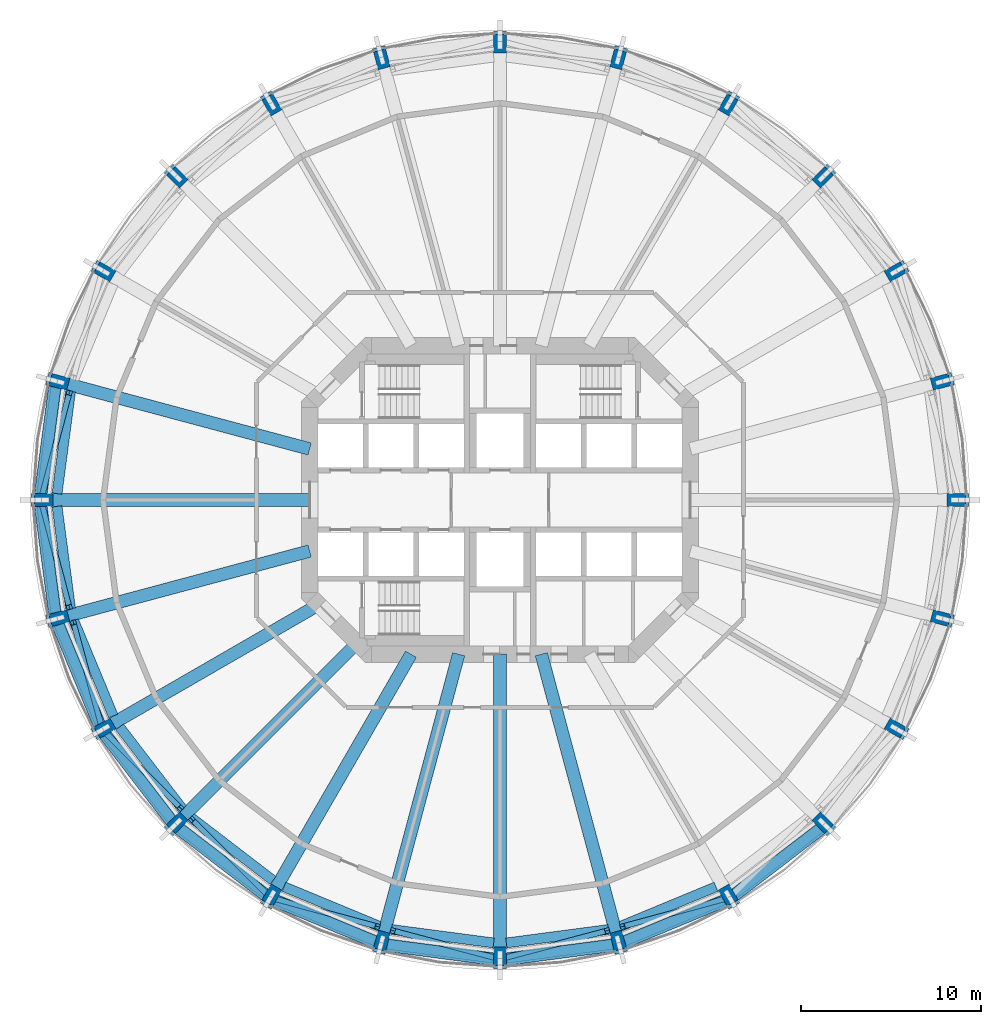
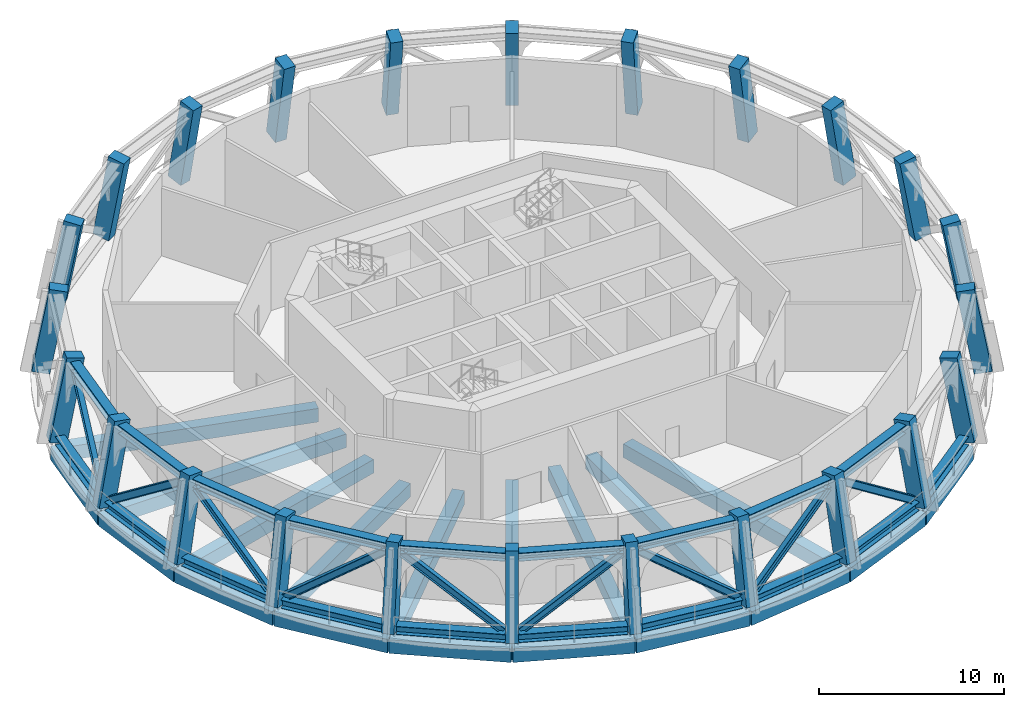
# One storey, part 1 of 9: 28 members, 24 columns, 19 beams.
"""IFC4 building model written with IfcOpenShell, lengths in metres."""

from ifc_helpers import new_model, si_unit, direction, frame, origin, origin_2d, place, context, subcontext, project, spatial, rectangle, i_section, extrude, material, material_profile, profile_set, type_object, element, save


model = new_model("IFC4")

# Units and contexts
model_context = context("Model", 3, precision=1e-05, world=origin(), true_north=direction((0.0, 1.0)))
body_context = subcontext(model_context, "Body", "Model", "MODEL_VIEW")
ifc_project = project(units=[si_unit("LENGTHUNIT", "METRE"), si_unit("AREAUNIT", "SQUARE_METRE"), si_unit("VOLUMEUNIT", "CUBIC_METRE"), si_unit("PLANEANGLEUNIT", "RADIAN"), si_unit("MASSUNIT", "GRAM", prefix="KILO")], contexts=[model_context])

# Site, building, storey
site_placement = place(None, origin())
site = spatial("IfcSite", under=ifc_project, at=site_placement, CompositionType="ELEMENT")
building_placement = place(site_placement, origin())
building = spatial("IfcBuilding", under=site, at=building_placement, Name="Torre Triforio", CompositionType="ELEMENT")
storey_placement = place(building_placement, frame((0.0, 0.0, 110.60009765625)))
storey = spatial("IfcBuildingStorey", under=building, at=storey_placement, Name="L24", CompositionType="ELEMENT", Elevation=110.60009765625)

# Columns
ifc_material_1 = material(Name="Concrete C60", Category="concrete")
ifc_material_profile_1 = material_profile(ifc_material_1, rectangle(XDim=0.699951171875, YDim=1.0, at=origin_2d()), Name="RC 700x1000")
ifc_profile_set_1 = profile_set([ifc_material_profile_1], Name="Concrete C60")
column_type = type_object("IfcColumnType", Name="Pier RC 700x1000 C60", PredefinedType="COLUMN", material=ifc_profile_set_1)
column_1_placement = place(storey_placement, frame((25.484375, 0.0, 0.087890625), z_axis=(-0.175819776369, 0.0, 0.98442237187), x_axis=(0.0, -1.0, 0.0)))
element("IfcColumn", 1, at=column_1_placement, inside=storey, type_object=column_type, Name="COL.R.L24.00", PredefinedType="COLUMN", context=body_context, shape_type="SweptSolid", body=[
    extrude(rectangle(XDim=0.699951171875, YDim=1.0, at=origin_2d()), origin(), (0.0, 0.0, 1.0), 5.510009765625),
])
column_2_placement = place(storey_placement, frame((24.615966796875, 6.595703125, 0.087890625), z_axis=(-0.169795049449, -0.045461826914, 0.984430222756), x_axis=(0.258635281348, -0.965975046905, 0.0)))
element("IfcColumn", 2, at=column_2_placement, inside=storey, type_object=column_type, Name="COL.R.L24.01", PredefinedType="COLUMN", context=body_context, shape_type="SweptSolid", body=[
    extrude(rectangle(XDim=0.699951171875, YDim=1.0, at=origin_2d()), origin(), (0.0, 0.0, 1.0), 5.509765625),
])
column_3_placement = place(storey_placement, frame((22.070068359375, 12.7421875, 0.087890625), z_axis=(-0.152247564568, -0.087910118773, 0.984424954022), x_axis=(0.500042431503, -0.866000904559, 0.0)))
element("IfcColumn", 3, at=column_3_placement, inside=storey, type_object=column_type, Name="COL.R.L24.02", PredefinedType="COLUMN", context=body_context, shape_type="SweptSolid", body=[
    extrude(rectangle(XDim=0.699951171875, YDim=1.0, at=origin_2d()), origin(), (0.0, 0.0, 1.0), 5.510009765625),
])
column_4_placement = place(storey_placement, frame((18.02001953125, 18.02001953125, 0.087890625), z_axis=(-0.124289016472, -0.124289016472, 0.984431044192), x_axis=(0.707106781187, -0.707106781187, 0.0)))
element("IfcColumn", 4, at=column_4_placement, inside=storey, type_object=column_type, Name="COL.R.L24.03", PredefinedType="COLUMN", context=body_context, shape_type="SweptSolid", body=[
    extrude(rectangle(XDim=0.699951171875, YDim=1.0, at=origin_2d()), origin(), (0.0, 0.0, 1.0), 5.509765625),
])
column_5_placement = place(storey_placement, frame((12.7421875, 22.070068359375, 0.087890625), z_axis=(-0.087910118773, -0.152247564568, 0.984424954022), x_axis=(0.866000904559, -0.500042431503, 0.0)))
element("IfcColumn", 5, at=column_5_placement, inside=storey, type_object=column_type, Name="COL.R.L24.04", PredefinedType="COLUMN", context=body_context, shape_type="SweptSolid", body=[
    extrude(rectangle(XDim=0.699951171875, YDim=1.0, at=origin_2d()), origin(), (0.0, 0.0, 1.0), 5.510009765625),
])
column_6_placement = place(storey_placement, frame((6.595703125, 24.615966796875, 0.087890625), z_axis=(-0.045461826914, -0.169795049449, 0.984430222756), x_axis=(0.965975046905, -0.258635281348, 0.0)))
element("IfcColumn", 6, at=column_6_placement, inside=storey, type_object=column_type, Name="COL.R.L24.05", PredefinedType="COLUMN", context=body_context, shape_type="SweptSolid", body=[
    extrude(rectangle(XDim=0.699951171875, YDim=1.0, at=origin_2d()), origin(), (0.0, 0.0, 1.0), 5.509765625),
])
column_7_placement = place(storey_placement, frame((0.0, 25.484375, 0.087890625), z_axis=(0.0, -0.175819776369, 0.98442237187), x_axis=(1.0, 0.0, 0.0)))
element("IfcColumn", 7, at=column_7_placement, inside=storey, type_object=column_type, Name="COL.R.L24.06", PredefinedType="COLUMN", context=body_context, shape_type="SweptSolid", body=[
    extrude(rectangle(XDim=0.699951171875, YDim=1.0, at=origin_2d()), origin(), (0.0, 0.0, 1.0), 5.510009765625),
])
column_8_placement = place(storey_placement, frame((-6.595703125, 24.615966796875, 0.087890625), z_axis=(0.045461826914, -0.169795049449, 0.984430222756), x_axis=(0.965975046905, 0.258635281348, 0.0)))
element("IfcColumn", 8, at=column_8_placement, inside=storey, type_object=column_type, Name="COL.R.L24.07", PredefinedType="COLUMN", context=body_context, shape_type="SweptSolid", body=[
    extrude(rectangle(XDim=0.699951171875, YDim=1.0, at=origin_2d()), origin(), (0.0, 0.0, 1.0), 5.509765625),
])
column_9_placement = place(storey_placement, frame((-12.7421875, 22.070068359375, 0.087890625), z_axis=(0.087910118773, -0.152247564568, 0.984424954022), x_axis=(0.866000904559, 0.500042431503, 0.0)))
element("IfcColumn", 9, at=column_9_placement, inside=storey, type_object=column_type, Name="COL.R.L24.08", PredefinedType="COLUMN", context=body_context, shape_type="SweptSolid", body=[
    extrude(rectangle(XDim=0.699951171875, YDim=1.0, at=origin_2d()), origin(), (0.0, 0.0, 1.0), 5.510009765625),
])
column_10_placement = place(storey_placement, frame((-18.02001953125, 18.02001953125, 0.087890625), z_axis=(0.124289016472, -0.124289016472, 0.984431044192), x_axis=(0.707106781187, 0.707106781187, 0.0)))
element("IfcColumn", 10, at=column_10_placement, inside=storey, type_object=column_type, Name="COL.R.L24.09", PredefinedType="COLUMN", context=body_context, shape_type="SweptSolid", body=[
    extrude(rectangle(XDim=0.699951171875, YDim=1.0, at=origin_2d()), origin(), (0.0, 0.0, 1.0), 5.509765625),
])
column_11_placement = place(storey_placement, frame((-22.070068359375, 12.7421875, 0.087890625), z_axis=(0.152247564568, -0.087910118773, 0.984424954022), x_axis=(0.500042431503, 0.866000904559, 0.0)))
element("IfcColumn", 11, at=column_11_placement, inside=storey, type_object=column_type, Name="COL.R.L24.10", PredefinedType="COLUMN", context=body_context, shape_type="SweptSolid", body=[
    extrude(rectangle(XDim=0.699951171875, YDim=1.0, at=origin_2d()), origin(), (0.0, 0.0, 1.0), 5.510009765625),
])
column_12_placement = place(storey_placement, frame((-24.615966796875, 6.595703125, 0.087890625), z_axis=(0.169795049449, -0.045461826914, 0.984430222756), x_axis=(0.258635281348, 0.965975046905, 0.0)))
element("IfcColumn", 12, at=column_12_placement, inside=storey, type_object=column_type, Name="COL.R.L24.11", PredefinedType="COLUMN", context=body_context, shape_type="SweptSolid", body=[
    extrude(rectangle(XDim=0.699951171875, YDim=1.0, at=origin_2d()), origin(), (0.0, 0.0, 1.0), 5.509765625),
])
column_13_placement = place(storey_placement, frame((-25.484375, 0.0, 0.087890625), z_axis=(0.175819776369, 0.0, 0.98442237187), x_axis=(0.0, 1.0, 0.0)))
element("IfcColumn", 13, at=column_13_placement, inside=storey, type_object=column_type, Name="COL.R.L24.12", PredefinedType="COLUMN", context=body_context, shape_type="SweptSolid", body=[
    extrude(rectangle(XDim=0.699951171875, YDim=1.0, at=origin_2d()), origin(), (0.0, 0.0, 1.0), 5.510009765625),
])
column_14_placement = place(storey_placement, frame((-24.615966796875, -6.595703125, 0.087890625), z_axis=(0.169795049449, 0.045461826914, 0.984430222756), x_axis=(-0.258635281348, 0.965975046905, 0.0)))
element("IfcColumn", 14, at=column_14_placement, inside=storey, type_object=column_type, Name="COL.R.L24.13", PredefinedType="COLUMN", context=body_context, shape_type="SweptSolid", body=[
    extrude(rectangle(XDim=0.699951171875, YDim=1.0, at=origin_2d()), origin(), (0.0, 0.0, 1.0), 5.509765625),
])
column_15_placement = place(storey_placement, frame((-22.070068359375, -12.7421875, 0.087890625), z_axis=(0.152247564568, 0.087910118773, 0.984424954022), x_axis=(-0.500042431503, 0.866000904559, 0.0)))
element("IfcColumn", 15, at=column_15_placement, inside=storey, type_object=column_type, Name="COL.R.L24.14", PredefinedType="COLUMN", context=body_context, shape_type="SweptSolid", body=[
    extrude(rectangle(XDim=0.699951171875, YDim=1.0, at=origin_2d()), origin(), (0.0, 0.0, 1.0), 5.510009765625),
])
column_16_placement = place(storey_placement, frame((-18.02001953125, -18.02001953125, 0.087890625), z_axis=(0.124289016472, 0.124289016472, 0.984431044192), x_axis=(-0.707106781187, 0.707106781187, 0.0)))
element("IfcColumn", 16, at=column_16_placement, inside=storey, type_object=column_type, Name="COL.R.L24.15", PredefinedType="COLUMN", context=body_context, shape_type="SweptSolid", body=[
    extrude(rectangle(XDim=0.699951171875, YDim=1.0, at=origin_2d()), origin(), (0.0, 0.0, 1.0), 5.509765625),
])
column_17_placement = place(storey_placement, frame((-12.7421875, -22.070068359375, 0.087890625), z_axis=(0.087910118773, 0.152247564568, 0.984424954022), x_axis=(-0.866000904559, 0.500042431503, 0.0)))
element("IfcColumn", 17, at=column_17_placement, inside=storey, type_object=column_type, Name="COL.R.L24.16", PredefinedType="COLUMN", context=body_context, shape_type="SweptSolid", body=[
    extrude(rectangle(XDim=0.699951171875, YDim=1.0, at=origin_2d()), origin(), (0.0, 0.0, 1.0), 5.510009765625),
])
column_18_placement = place(storey_placement, frame((-6.595703125, -24.615966796875, 0.087890625), z_axis=(0.045461826914, 0.169795049449, 0.984430222756), x_axis=(-0.965975046905, 0.258635281348, 0.0)))
element("IfcColumn", 18, at=column_18_placement, inside=storey, type_object=column_type, Name="COL.R.L24.17", PredefinedType="COLUMN", context=body_context, shape_type="SweptSolid", body=[
    extrude(rectangle(XDim=0.699951171875, YDim=1.0, at=origin_2d()), origin(), (0.0, 0.0, 1.0), 5.509765625),
])
column_19_placement = place(storey_placement, frame((0.0, -25.484375, 0.087890625), z_axis=(0.0, 0.175819776369, 0.98442237187), x_axis=(-1.0, 0.0, 0.0)))
element("IfcColumn", 19, at=column_19_placement, inside=storey, type_object=column_type, Name="COL.R.L24.18", PredefinedType="COLUMN", context=body_context, shape_type="SweptSolid", body=[
    extrude(rectangle(XDim=0.699951171875, YDim=1.0, at=origin_2d()), origin(), (0.0, 0.0, 1.0), 5.510009765625),
])
column_20_placement = place(storey_placement, frame((6.595703125, -24.615966796875, 0.087890625), z_axis=(-0.045461826914, 0.169795049449, 0.984430222756), x_axis=(-0.965975046905, -0.258635281348, 0.0)))
element("IfcColumn", 20, at=column_20_placement, inside=storey, type_object=column_type, Name="COL.R.L24.19", PredefinedType="COLUMN", context=body_context, shape_type="SweptSolid", body=[
    extrude(rectangle(XDim=0.699951171875, YDim=1.0, at=origin_2d()), origin(), (0.0, 0.0, 1.0), 5.509765625),
])
column_21_placement = place(storey_placement, frame((12.7421875, -22.070068359375, 0.087890625), z_axis=(-0.087910118773, 0.152247564568, 0.984424954022), x_axis=(-0.866000904559, -0.500042431503, 0.0)))
element("IfcColumn", 21, at=column_21_placement, inside=storey, type_object=column_type, Name="COL.R.L24.20", PredefinedType="COLUMN", context=body_context, shape_type="SweptSolid", body=[
    extrude(rectangle(XDim=0.699951171875, YDim=1.0, at=origin_2d()), origin(), (0.0, 0.0, 1.0), 5.510009765625),
])
column_22_placement = place(storey_placement, frame((18.02001953125, -18.02001953125, 0.087890625), z_axis=(-0.124289016472, 0.124289016472, 0.984431044192), x_axis=(-0.707106781187, -0.707106781187, 0.0)))
element("IfcColumn", 22, at=column_22_placement, inside=storey, type_object=column_type, Name="COL.R.L24.21", PredefinedType="COLUMN", context=body_context, shape_type="SweptSolid", body=[
    extrude(rectangle(XDim=0.699951171875, YDim=1.0, at=origin_2d()), origin(), (0.0, 0.0, 1.0), 5.509765625),
])
column_23_placement = place(storey_placement, frame((22.070068359375, -12.7421875, 0.087890625), z_axis=(-0.152247564568, 0.087910118773, 0.984424954022), x_axis=(-0.500042431503, -0.866000904559, 0.0)))
element("IfcColumn", 23, at=column_23_placement, inside=storey, type_object=column_type, Name="COL.R.L24.22", PredefinedType="COLUMN", context=body_context, shape_type="SweptSolid", body=[
    extrude(rectangle(XDim=0.699951171875, YDim=1.0, at=origin_2d()), origin(), (0.0, 0.0, 1.0), 5.510009765625),
])
column_24_placement = place(storey_placement, frame((24.615966796875, -6.595703125, 0.087890625), z_axis=(-0.169795049449, 0.045461826914, 0.984430222756), x_axis=(-0.258635281348, -0.965975046905, 0.0)))
element("IfcColumn", 24, at=column_24_placement, inside=storey, type_object=column_type, Name="COL.R.L24.23", PredefinedType="COLUMN", context=body_context, shape_type="SweptSolid", body=[
    extrude(rectangle(XDim=0.699951171875, YDim=1.0, at=origin_2d()), origin(), (0.0, 0.0, 1.0), 5.509765625),
])

# Members
ifc_material_2 = material(Name="Steel ASTM A572 Gr 50", Category="steel")
ifc_material_profile_2 = material_profile(ifc_material_2, i_section(OverallWidth=0.550048828125, OverallDepth=0.550048828125, WebThickness=0.01904296875, FlangeThickness=0.02490234375, at=origin_2d()), Name="CS 550x290")
ifc_profile_set_2 = profile_set([ifc_material_profile_2], Name="Steel ASTM A572 Gr 50")
member_type_1 = type_object("IfcMemberType", Name="Belt truss chord CS 550x290", PredefinedType="CHORD", material=ifc_profile_set_2)
member_1_placement = place(storey_placement, frame((-24.629638671875, 6.237060546875, 0.27490234375), z_axis=(-0.130544917969, -0.991442395902, 0.0), x_axis=(0.991442395902, -0.130544917969, 0.0)))
element("IfcMember", 25, at=member_1_placement, inside=storey, type_object=member_type_1, Name="BT.L24.11.CB", PredefinedType="CHORD", context=body_context, shape_type="SweptSolid", body=[
    extrude(i_section(OverallWidth=0.550048828125, OverallDepth=0.550048828125, WebThickness=0.01904296875, FlangeThickness=0.02490234375, at=origin_2d()), origin(), (0.0, 0.0, 1.0), 5.937744140625),
])
member_2_placement = place(storey_placement, frame((-23.806884765625, 6.0166015625, 5.044921875), z_axis=(-0.130540700513, -0.991442951213, 0.0), x_axis=(0.991442951213, -0.130540700513, 0.0)))
element("IfcMember", 26, at=member_2_placement, inside=storey, type_object=member_type_1, Name="BT.L24.11.CT", PredefinedType="CHORD", context=body_context, shape_type="SweptSolid", body=[
    extrude(i_section(OverallWidth=0.550048828125, OverallDepth=0.550048828125, WebThickness=0.01904296875, FlangeThickness=0.02490234375, at=origin_2d()), origin(), (0.0, 0.0, 1.0), 5.71533203125),
])
member_3_placement = place(storey_placement, frame((-25.40478515625, -0.35009765625, 0.27490234375), z_axis=(0.130544917969, -0.991442395902, 0.0), x_axis=(0.991442395902, 0.130544917969, 0.0)))
element("IfcMember", 27, at=member_3_placement, inside=storey, type_object=member_type_1, Name="BT.L24.12.CB", PredefinedType="CHORD", context=body_context, shape_type="SweptSolid", body=[
    extrude(i_section(OverallWidth=0.550048828125, OverallDepth=0.550048828125, WebThickness=0.01904296875, FlangeThickness=0.02490234375, at=origin_2d()), origin(), (0.0, 0.0, 1.0), 5.937744140625),
])
member_4_placement = place(storey_placement, frame((-24.552978515625, -0.35009765625, 5.044921875), z_axis=(0.130540700513, -0.991442951213, 0.0), x_axis=(0.991442951213, 0.130540700513, 0.0)))
element("IfcMember", 28, at=member_4_placement, inside=storey, type_object=member_type_1, Name="BT.L24.12.CT", PredefinedType="CHORD", context=body_context, shape_type="SweptSolid", body=[
    extrude(i_section(OverallWidth=0.550048828125, OverallDepth=0.550048828125, WebThickness=0.01904296875, FlangeThickness=0.02490234375, at=origin_2d()), origin(), (0.0, 0.0, 1.0), 5.71533203125),
])
member_5_placement = place(storey_placement, frame((-24.448486328125, -6.913330078125, 0.27490234375), z_axis=(0.382655604295, -0.923891058784, 0.0), x_axis=(0.923891058784, 0.382655604295, 0.0)))
element("IfcMember", 29, at=member_5_placement, inside=storey, type_object=member_type_1, Name="BT.L24.13.CB", PredefinedType="CHORD", context=body_context, shape_type="SweptSolid", body=[
    extrude(i_section(OverallWidth=0.550048828125, OverallDepth=0.550048828125, WebThickness=0.01904296875, FlangeThickness=0.02490234375, at=origin_2d()), origin(), (0.0, 0.0, 1.0), 5.93798828125),
])
member_6_placement = place(storey_placement, frame((-23.625732421875, -6.69287109375, 5.044921875), z_axis=(0.382682515754, -0.923879912183, 0.0), x_axis=(0.923879912183, 0.382682515754, 0.0)))
element("IfcMember", 30, at=member_6_placement, inside=storey, type_object=member_type_1, Name="BT.L24.13.CT", PredefinedType="CHORD", context=body_context, shape_type="SweptSolid", body=[
    extrude(i_section(OverallWidth=0.550048828125, OverallDepth=0.550048828125, WebThickness=0.01904296875, FlangeThickness=0.02490234375, at=origin_2d()), origin(), (0.0, 0.0, 1.0), 5.715576171875),
])
member_7_placement = place(storey_placement, frame((-21.826171875, -13.005615234375, 0.27490234375), z_axis=(0.60877244745, -0.793344885422, 0.0), x_axis=(0.793344885422, 0.60877244745, 0.0)))
element("IfcMember", 31, at=member_7_placement, inside=storey, type_object=member_type_1, Name="BT.L24.14.CB", PredefinedType="CHORD", context=body_context, shape_type="SweptSolid", body=[
    extrude(i_section(OverallWidth=0.550048828125, OverallDepth=0.550048828125, WebThickness=0.01904296875, FlangeThickness=0.02490234375, at=origin_2d()), origin(), (0.0, 0.0, 1.0), 5.937744140625),
])
member_8_placement = place(storey_placement, frame((-21.088623046875, -12.57958984375, 5.044921875), z_axis=(0.60877314691, -0.793344348692, 0.0), x_axis=(0.793344348692, 0.60877314691, 0.0)))
element("IfcMember", 32, at=member_8_placement, inside=storey, type_object=member_type_1, Name="BT.L24.14.CT", PredefinedType="CHORD", context=body_context, shape_type="SweptSolid", body=[
    extrude(i_section(OverallWidth=0.550048828125, OverallDepth=0.550048828125, WebThickness=0.01904296875, FlangeThickness=0.02490234375, at=origin_2d()), origin(), (0.0, 0.0, 1.0), 5.715576171875),
])
member_9_placement = place(storey_placement, frame((-17.71630859375, -18.21142578125, 0.27490234375), z_axis=(0.793344885422, -0.60877244745, 0.0), x_axis=(0.60877244745, 0.793344885422, 0.0)))
element("IfcMember", 33, at=member_9_placement, inside=storey, type_object=member_type_1, Name="BT.L24.15.CB", PredefinedType="CHORD", context=body_context, shape_type="SweptSolid", body=[
    extrude(i_section(OverallWidth=0.550048828125, OverallDepth=0.550048828125, WebThickness=0.01904296875, FlangeThickness=0.02490234375, at=origin_2d()), origin(), (0.0, 0.0, 1.0), 5.937744140625),
])
member_10_placement = place(storey_placement, frame((-17.114013671875, -17.609130859375, 5.044921875), z_axis=(0.793344348692, -0.60877314691, 0.0), x_axis=(0.60877314691, 0.793344348692, 0.0)))
element("IfcMember", 34, at=member_10_placement, inside=storey, type_object=member_type_1, Name="BT.L24.15.CT", PredefinedType="CHORD", context=body_context, shape_type="SweptSolid", body=[
    extrude(i_section(OverallWidth=0.550048828125, OverallDepth=0.550048828125, WebThickness=0.01904296875, FlangeThickness=0.02490234375, at=origin_2d()), origin(), (0.0, 0.0, 1.0), 5.715576171875),
])
member_11_placement = place(storey_placement, frame((-12.3994140625, -22.17626953125, 0.27490234375), z_axis=(0.923891058784, -0.382655604295, 0.0), x_axis=(0.382655604295, 0.923891058784, 0.0)))
element("IfcMember", 35, at=member_11_placement, inside=storey, type_object=member_type_1, Name="BT.L24.16.CB", PredefinedType="CHORD", context=body_context, shape_type="SweptSolid", body=[
    extrude(i_section(OverallWidth=0.550048828125, OverallDepth=0.550048828125, WebThickness=0.01904296875, FlangeThickness=0.02490234375, at=origin_2d()), origin(), (0.0, 0.0, 1.0), 5.93798828125),
])
member_12_placement = place(storey_placement, frame((-11.973388671875, -21.4384765625, 5.044921875), z_axis=(0.923879912183, -0.382682515754, 0.0), x_axis=(0.382682515754, 0.923879912183, 0.0)))
element("IfcMember", 36, at=member_12_placement, inside=storey, type_object=member_type_1, Name="BT.L24.16.CT", PredefinedType="CHORD", context=body_context, shape_type="SweptSolid", body=[
    extrude(i_section(OverallWidth=0.550048828125, OverallDepth=0.550048828125, WebThickness=0.01904296875, FlangeThickness=0.02490234375, at=origin_2d()), origin(), (0.0, 0.0, 1.0), 5.715576171875),
])
member_13_placement = place(storey_placement, frame((-6.237060546875, -24.629638671875, 0.27490234375), z_axis=(0.991442395902, -0.130544917969, 0.0), x_axis=(0.130544917969, 0.991442395902, 0.0)))
element("IfcMember", 37, at=member_13_placement, inside=storey, type_object=member_type_1, Name="BT.L24.17.CB", PredefinedType="CHORD", context=body_context, shape_type="SweptSolid", body=[
    extrude(i_section(OverallWidth=0.550048828125, OverallDepth=0.550048828125, WebThickness=0.01904296875, FlangeThickness=0.02490234375, at=origin_2d()), origin(), (0.0, 0.0, 1.0), 5.937744140625),
])
member_14_placement = place(storey_placement, frame((-6.0166015625, -23.806884765625, 5.044921875), z_axis=(0.991442951213, -0.130540700513, 0.0), x_axis=(0.130540700513, 0.991442951213, 0.0)))
element("IfcMember", 38, at=member_14_placement, inside=storey, type_object=member_type_1, Name="BT.L24.17.CT", PredefinedType="CHORD", context=body_context, shape_type="SweptSolid", body=[
    extrude(i_section(OverallWidth=0.550048828125, OverallDepth=0.550048828125, WebThickness=0.01904296875, FlangeThickness=0.02490234375, at=origin_2d()), origin(), (0.0, 0.0, 1.0), 5.71533203125),
])
member_15_placement = place(storey_placement, frame((0.35009765625, -25.40478515625, 0.27490234375), z_axis=(0.991442395902, 0.130544917969, 0.0), x_axis=(-0.130544917969, 0.991442395902, 0.0)))
element("IfcMember", 39, at=member_15_placement, inside=storey, type_object=member_type_1, Name="BT.L24.18.CB", PredefinedType="CHORD", context=body_context, shape_type="SweptSolid", body=[
    extrude(i_section(OverallWidth=0.550048828125, OverallDepth=0.550048828125, WebThickness=0.01904296875, FlangeThickness=0.02490234375, at=origin_2d()), origin(), (0.0, 0.0, 1.0), 5.937744140625),
])
member_16_placement = place(storey_placement, frame((0.35009765625, -24.552978515625, 5.044921875), z_axis=(0.991442951213, 0.130540700513, 0.0), x_axis=(-0.130540700513, 0.991442951213, 0.0)))
element("IfcMember", 40, at=member_16_placement, inside=storey, type_object=member_type_1, Name="BT.L24.18.CT", PredefinedType="CHORD", context=body_context, shape_type="SweptSolid", body=[
    extrude(i_section(OverallWidth=0.550048828125, OverallDepth=0.550048828125, WebThickness=0.01904296875, FlangeThickness=0.02490234375, at=origin_2d()), origin(), (0.0, 0.0, 1.0), 5.71533203125),
])
member_17_placement = place(storey_placement, frame((6.913330078125, -24.448486328125, 0.27490234375), z_axis=(0.923891058784, 0.382655604295, 0.0), x_axis=(-0.382655604295, 0.923891058784, 0.0)))
element("IfcMember", 41, at=member_17_placement, inside=storey, type_object=member_type_1, Name="BT.L24.19.CB", PredefinedType="CHORD", context=body_context, shape_type="SweptSolid", body=[
    extrude(i_section(OverallWidth=0.550048828125, OverallDepth=0.550048828125, WebThickness=0.01904296875, FlangeThickness=0.02490234375, at=origin_2d()), origin(), (0.0, 0.0, 1.0), 5.93798828125),
])
member_18_placement = place(storey_placement, frame((6.69287109375, -23.625732421875, 5.044921875), z_axis=(0.923879912183, 0.382682515754, 0.0), x_axis=(-0.382682515754, 0.923879912183, 0.0)))
element("IfcMember", 42, at=member_18_placement, inside=storey, type_object=member_type_1, Name="BT.L24.19.CT", PredefinedType="CHORD", context=body_context, shape_type="SweptSolid", body=[
    extrude(i_section(OverallWidth=0.550048828125, OverallDepth=0.550048828125, WebThickness=0.01904296875, FlangeThickness=0.02490234375, at=origin_2d()), origin(), (0.0, 0.0, 1.0), 5.715576171875),
])
member_19_placement = place(storey_placement, frame((13.005615234375, -21.826171875, 0.27490234375), z_axis=(0.793344885422, 0.60877244745, 0.0), x_axis=(-0.60877244745, 0.793344885422, 0.0)))
element("IfcMember", 43, at=member_19_placement, inside=storey, type_object=member_type_1, Name="BT.L24.20.CB", PredefinedType="CHORD", context=body_context, shape_type="SweptSolid", body=[
    extrude(i_section(OverallWidth=0.550048828125, OverallDepth=0.550048828125, WebThickness=0.01904296875, FlangeThickness=0.02490234375, at=origin_2d()), origin(), (0.0, 0.0, 1.0), 5.937744140625),
])
ifc_material_profile_3 = material_profile(ifc_material_2, i_section(OverallWidth=0.300048828125, OverallDepth=0.449951171875, WebThickness=0.01611328125, FlangeThickness=0.0224609375, at=origin_2d()), Name="CVS 450x156")
ifc_profile_set_3 = profile_set([ifc_material_profile_3], Name="Steel ASTM A572 Gr 50")
member_type_2 = type_object("IfcMemberType", Name="Belt truss diagonal CVS 450x156", PredefinedType="BRACE", material=ifc_profile_set_3)
for number, where, z_axis, x_axis, name in (
    (44, (-23.873779296875, 5.94140625, 4.726318359375), (-0.207807238117, -0.782827400265, -0.586512926695), (0.966525334729, -0.256571193487, 0.0), "BT.L24.11.D"),
    (45, (-25.3349609375, -0.43701171875, 0.602294921875), (0.207807238117, -0.782827400265, 0.586512926695), (0.966525334729, 0.256571193487, 0.0), "BT.L24.12.D"),
    (46, (-23.64599609375, -6.79150390625, 4.726318359375), (0.211452203796, -0.781852335811, -0.586510776113), (0.965319605992, 0.261070983235, 0.0), "BT.L24.13.D"),
    (47, (-21.72216796875, -13.0458984375, 0.602294921875), (0.571375218798, -0.574048765945, 0.5865137455), (0.708755316491, 0.705454393527, 0.0), "BT.L24.14.D"),
    (48, (-17.082275390625, -17.70458984375, 4.726318359375), (0.574048765945, -0.571375218798, -0.5865137455), (0.705454393527, 0.708755316491, 0.0), "BT.L24.15.D"),
    (49, (-12.2890625, -22.1591796875, 0.602294921875), (0.781852335811, -0.211452203796, 0.586510776113), (0.261070983235, 0.965319605992, 0.0), "BT.L24.16.D"),
    (50, (-5.94140625, -23.873779296875, 4.726318359375), (0.782827400265, -0.207807238117, -0.586512926695), (0.256571193487, 0.966525334729, 0.0), "BT.L24.17.D"),
    (51, (0.43701171875, -25.3349609375, 0.602294921875), (0.782827400265, 0.207807238117, 0.586512926695), (-0.256571193487, 0.966525334729, 0.0), "BT.L24.18.D"),
    (52, (6.79150390625, -23.64599609375, 4.726318359375), (0.781852335811, 0.211452203796, -0.586510776113), (-0.261070983235, 0.965319605992, 0.0), "BT.L24.19.D"),
):
    element("IfcMember", number, at=place(storey_placement, frame(where, z_axis=z_axis, x_axis=x_axis)), inside=storey, type_object=member_type_2, Name=name, PredefinedType="BRACE", context=body_context, shape_type="SweptSolid", body=[
        extrude(i_section(OverallWidth=0.300048828125, OverallDepth=0.449951171875, WebThickness=0.01611328125, FlangeThickness=0.0224609375, at=origin_2d()), origin(), (0.0, 0.0, 1.0), 7.031494140625),
    ])

# Beams
ifc_material_3 = material(Name="Concrete C50", Category="concrete")
ifc_material_profile_4 = material_profile(ifc_material_3, rectangle(XDim=0.699951171875, YDim=0.89990234375, at=origin_2d()), Name="RC 700x900")
ifc_profile_set_4 = profile_set([ifc_material_profile_4], Name="Concrete C50")
beam_type_1 = type_object("IfcBeamType", Name="Radial beam RC 700x900 C50", PredefinedType="BEAM", material=ifc_profile_set_4)
beam_1_placement = place(storey_placement, frame((-10.550048828125, 2.826904296875, -0.72998046875), z_axis=(-0.965926821176, 0.258815332104, 0.0), x_axis=(-0.258815332104, -0.965926821176, 0.0)))
element("IfcBeam", 53, at=beam_1_placement, inside=storey, type_object=beam_type_1, Name="BM.R.L24.11", PredefinedType="BEAM", context=body_context, shape_type="SweptSolid", body=[
    extrude(rectangle(XDim=0.699951171875, YDim=0.89990234375, at=origin_2d()), origin(), (0.0, 0.0, 1.0), 14.577880859375),
])
beam_2_placement = place(storey_placement, frame((-10.550048828125, 0.0, -0.72998046875), z_axis=(-1.0, 0.0, 0.0), x_axis=(0.0, -1.0, 0.0)))
element("IfcBeam", 54, at=beam_2_placement, inside=storey, type_object=beam_type_1, Name="BM.R.L24.12", PredefinedType="BEAM", context=body_context, shape_type="SweptSolid", body=[
    extrude(rectangle(XDim=0.699951171875, YDim=0.89990234375, at=origin_2d()), origin(), (0.0, 0.0, 1.0), 14.949951171875),
])
beam_3_placement = place(storey_placement, frame((-10.550048828125, -2.826904296875, -0.72998046875), z_axis=(-0.965926821176, -0.258815332104, 0.0), x_axis=(0.258815332104, -0.965926821176, 0.0)))
element("IfcBeam", 55, at=beam_3_placement, inside=storey, type_object=beam_type_1, Name="BM.R.L24.13", PredefinedType="BEAM", context=body_context, shape_type="SweptSolid", body=[
    extrude(rectangle(XDim=0.699951171875, YDim=0.89990234375, at=origin_2d()), origin(), (0.0, 0.0, 1.0), 14.577880859375),
])
beam_4_placement = place(storey_placement, frame((-10.039794921875, -5.796630859375, -0.72998046875), z_axis=(-0.866031815519, -0.499988894385, 0.0), x_axis=(0.499988894385, -0.866031815519, 0.0)))
element("IfcBeam", 56, at=beam_4_placement, inside=storey, type_object=beam_type_1, Name="BM.R.L24.14", PredefinedType="BEAM", context=body_context, shape_type="SweptSolid", body=[
    extrude(rectangle(XDim=0.699951171875, YDim=0.89990234375, at=origin_2d()), origin(), (0.0, 0.0, 1.0), 13.906982421875),
])
beam_5_placement = place(storey_placement, frame((-7.918212890625, -7.918212890625, -0.72998046875), z_axis=(-0.707106781187, -0.707106781187, 0.0), x_axis=(0.707106781187, -0.707106781187, 0.0)))
element("IfcBeam", 57, at=beam_5_placement, inside=storey, type_object=beam_type_1, Name="BM.R.L24.15", PredefinedType="BEAM", context=body_context, shape_type="SweptSolid", body=[
    extrude(rectangle(XDim=0.699951171875, YDim=0.89990234375, at=origin_2d()), origin(), (0.0, 0.0, 1.0), 14.302001953125),
])
beam_6_placement = place(storey_placement, frame((-4.936279296875, -8.550048828125, -0.72998046875), z_axis=(-0.500001935381, -0.866024286389, 0.0), x_axis=(0.866024286389, -0.500001935381, 0.0)))
element("IfcBeam", 58, at=beam_6_placement, inside=storey, type_object=beam_type_1, Name="BM.R.L24.16", PredefinedType="BEAM", context=body_context, shape_type="SweptSolid", body=[
    extrude(rectangle(XDim=0.699951171875, YDim=0.89990234375, at=origin_2d()), origin(), (0.0, 0.0, 1.0), 15.62744140625),
])
beam_7_placement = place(storey_placement, frame((-2.291015625, -8.550048828125, -0.72998046875), z_axis=(-0.25881524955, -0.965926843296, 0.0), x_axis=(0.965926843296, -0.25881524955, 0.0)))
element("IfcBeam", 59, at=beam_7_placement, inside=storey, type_object=beam_type_1, Name="BM.R.L24.17", PredefinedType="BEAM", context=body_context, shape_type="SweptSolid", body=[
    extrude(rectangle(XDim=0.699951171875, YDim=0.89990234375, at=origin_2d()), origin(), (0.0, 0.0, 1.0), 16.648193359375),
])
beam_8_placement = place(storey_placement, frame((0.0, -8.550048828125, -0.72998046875), z_axis=(0.0, -1.0, 0.0), x_axis=(1.0, 0.0, 0.0)))
element("IfcBeam", 60, at=beam_8_placement, inside=storey, type_object=beam_type_1, Name="BM.R.L24.18", PredefinedType="BEAM", context=body_context, shape_type="SweptSolid", body=[
    extrude(rectangle(XDim=0.699951171875, YDim=0.89990234375, at=origin_2d()), origin(), (0.0, 0.0, 1.0), 16.949951171875),
])
beam_9_placement = place(storey_placement, frame((2.291015625, -8.550048828125, -0.72998046875), z_axis=(0.25881524955, -0.965926843296, 0.0), x_axis=(0.965926843296, 0.25881524955, 0.0)))
element("IfcBeam", 61, at=beam_9_placement, inside=storey, type_object=beam_type_1, Name="BM.R.L24.19", PredefinedType="BEAM", context=body_context, shape_type="SweptSolid", body=[
    extrude(rectangle(XDim=0.699951171875, YDim=0.89990234375, at=origin_2d()), origin(), (0.0, 0.0, 1.0), 16.648193359375),
])
ifc_material_profile_5 = material_profile(ifc_material_3, rectangle(XDim=0.699951171875, YDim=0.89990234375, at=origin_2d()), Name="RC 700x900")
ifc_profile_set_5 = profile_set([ifc_material_profile_5], Name="Concrete C50")
beam_type_2 = type_object("IfcBeamType", Name="Spandrel beam RC 700x900 C50", PredefinedType="SPANDREL", material=ifc_profile_set_5)
for number, where, z_axis, x_axis, name in (
    (62, (-24.631103515625, 6.599853515625, -0.72998046875), (-0.130527563319, -0.991444680864, 0.0), (0.991444680864, -0.130527563319, 0.0), "BM.S.L24.11"),
    (63, (-25.5, 0.0, -0.72998046875), (0.130527563319, -0.991444680864, 0.0), (0.991444680864, 0.130527563319, 0.0), "BM.S.L24.12"),
    (64, (-24.631103515625, -6.599853515625, -0.72998046875), (0.382669224891, -0.923885417312, 0.0), (0.923885417312, 0.382669224891, 0.0), "BM.S.L24.13"),
):
    element("IfcBeam", number, at=place(storey_placement, frame(where, z_axis=z_axis, x_axis=x_axis)), inside=storey, type_object=beam_type_2, Name=name, PredefinedType="SPANDREL", context=body_context, shape_type="SweptSolid", body=[
        extrude(rectangle(XDim=0.699951171875, YDim=0.89990234375, at=origin_2d()), origin(), (0.0, 0.0, 1.0), 6.65673828125),
    ])
for number, where, z_axis, x_axis, name in (
    (65, (-22.083740234375, -12.75, -0.72998046875), (0.608765643954, -0.793350106032, 0.0), (0.793350106032, 0.608765643954, 0.0), "BM.S.L24.14"),
    (66, (-18.03125, -18.03125, -0.72998046875), (0.793350106032, -0.608765643954, 0.0), (0.608765643954, 0.793350106032, 0.0), "BM.S.L24.15"),
):
    element("IfcBeam", number, at=place(storey_placement, frame(where, z_axis=z_axis, x_axis=x_axis)), inside=storey, type_object=beam_type_2, Name=name, PredefinedType="SPANDREL", context=body_context, shape_type="SweptSolid", body=[
        extrude(rectangle(XDim=0.699951171875, YDim=0.89990234375, at=origin_2d()), origin(), (0.0, 0.0, 1.0), 6.656982421875),
    ])
for number, where, z_axis, x_axis, name in (
    (67, (-12.75, -22.083740234375, -0.72998046875), (0.923885417312, -0.382669224891, 0.0), (0.382669224891, 0.923885417312, 0.0), "BM.S.L24.16"),
    (68, (-6.599853515625, -24.631103515625, -0.72998046875), (0.991444680864, -0.130527563319, 0.0), (0.130527563319, 0.991444680864, 0.0), "BM.S.L24.17"),
    (69, (0.0, -25.5, -0.72998046875), (0.991444680864, 0.130527563319, 0.0), (-0.130527563319, 0.991444680864, 0.0), "BM.S.L24.18"),
    (70, (6.599853515625, -24.631103515625, -0.72998046875), (0.923885417312, 0.382669224891, 0.0), (-0.382669224891, 0.923885417312, 0.0), "BM.S.L24.19"),
):
    element("IfcBeam", number, at=place(storey_placement, frame(where, z_axis=z_axis, x_axis=x_axis)), inside=storey, type_object=beam_type_2, Name=name, PredefinedType="SPANDREL", context=body_context, shape_type="SweptSolid", body=[
        extrude(rectangle(XDim=0.699951171875, YDim=0.89990234375, at=origin_2d()), origin(), (0.0, 0.0, 1.0), 6.65673828125),
    ])
beam_10_placement = place(storey_placement, frame((12.75, -22.083740234375, -0.72998046875), z_axis=(0.793350106032, 0.608765643954, 0.0), x_axis=(-0.608765643954, 0.793350106032, 0.0)))
element("IfcBeam", 71, at=beam_10_placement, inside=storey, type_object=beam_type_2, Name="BM.S.L24.20", PredefinedType="SPANDREL", context=body_context, shape_type="SweptSolid", body=[
    extrude(rectangle(XDim=0.699951171875, YDim=0.89990234375, at=origin_2d()), origin(), (0.0, 0.0, 1.0), 6.656982421875),
])

save(model, "model.ifc")
